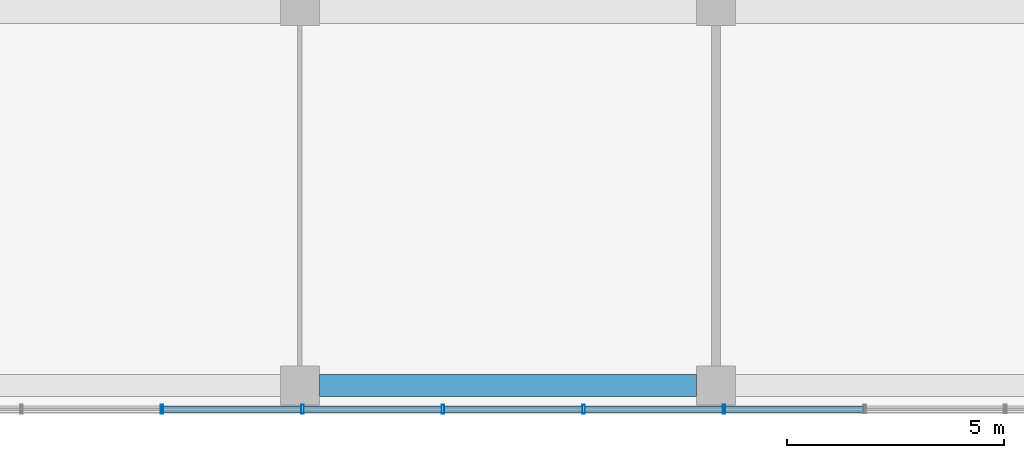
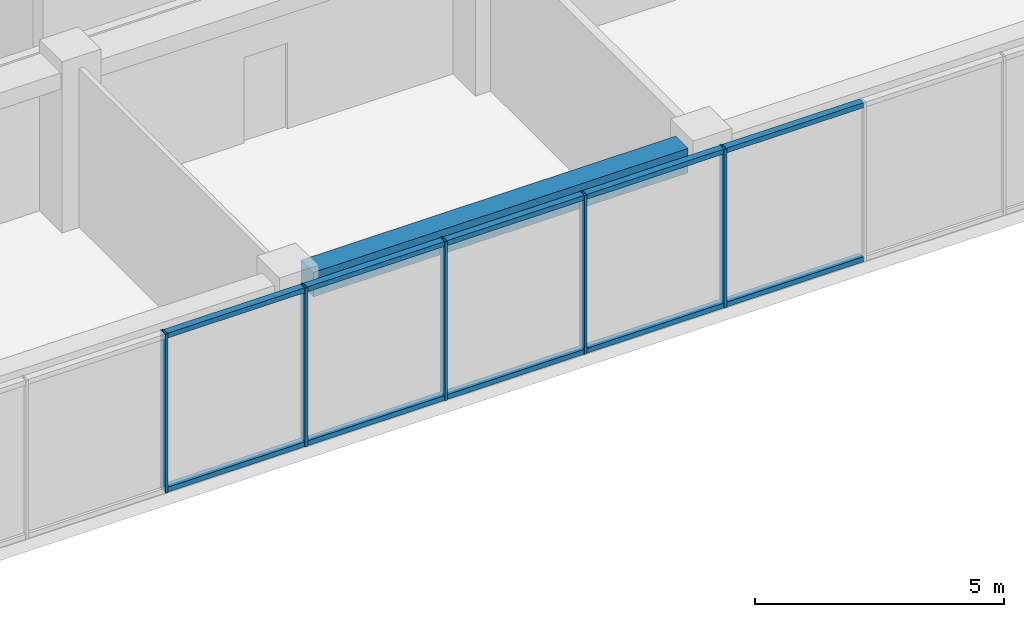
# One storey, part 4 of 38: 15 members, 1 beam, 1 element without a shape of its own.
"""IFC4 building model written with IfcOpenShell, lengths in metres."""

from ifc_helpers import new_model, si_unit, direction, frame, origin, origin_2d, place, context, subcontext, project, spatial, rectangle, hollow_rectangle, extrude, material, layer, layer_set, material_profile, profile_set, type_object, element, aggregate, save


model = new_model("IFC4")

# Units and contexts
model_context = context("Model", 3, precision=1e-05, world=origin(), true_north=direction((0.0, 1.0)))
body_context = subcontext(model_context, "Body", "Model", "MODEL_VIEW")
ifc_project = project(units=[si_unit("LENGTHUNIT", "METRE"), si_unit("AREAUNIT", "SQUARE_METRE"), si_unit("VOLUMEUNIT", "CUBIC_METRE"), si_unit("PLANEANGLEUNIT", "RADIAN"), si_unit("MASSUNIT", "GRAM", prefix="KILO")], contexts=[model_context])

# Site, building, storey
site_placement = place(None, origin())
site = spatial("IfcSite", under=ifc_project, at=site_placement, CompositionType="ELEMENT")
building_placement = place(site_placement, origin())
building = spatial("IfcBuilding", under=site, at=building_placement, Name="Nzadi Deep Aquarium and Research Tower", CompositionType="ELEMENT")
storey_placement = place(building_placement, frame((0.0, 0.0, 48.699951171875)))
storey = spatial("IfcBuildingStorey", under=building, at=storey_placement, Name="L09", CompositionType="ELEMENT", Elevation=48.699951171875)

# Curtain wall, members
ifc_material_1 = material(Name="Aluminium unitised frame", Category="aluminium")
ifc_layer = layer(ifc_material_1, 0.199951171875)
ifc_layer_set = layer_set([ifc_layer], Name="Aluminium unitised frame")
curtain_wall_type = type_object("IfcCurtainWallType", Name="Curtain wall Unitised 200", PredefinedType="NOTDEFINED", material=ifc_layer_set)
curtain_wall_placement = place(storey_placement, origin())
curtain_wall = element("IfcCurtainWall", 1, at=curtain_wall_placement, inside=storey, type_object=curtain_wall_type, Name="Unitised curtain wall blade A south L09", PredefinedType="NOTDEFINED")
ifc_material_2 = material(Name="Aluminium unitised frame", Category="aluminium")
ifc_material_profile_1 = material_profile(ifc_material_2, hollow_rectangle(XDim=0.199951171875, YDim=0.06005859375, WallThickness=0.0048828125, at=origin_2d()))
ifc_profile_set_1 = profile_set([ifc_material_profile_1], Name="Aluminium unitised frame")
member_type_1 = type_object("IfcMemberType", Name="Mullion 60x200 Unitised", PredefinedType="MULLION", material=ifc_profile_set_1)
member_1_placement = place(storey_placement, frame((16.0166015625, -0.10009765625, 0.0), z_axis=(0.0, 0.0, 1.0), x_axis=(0.0, 1.0, 0.0)))
member_1 = element("IfcMember", 2, at=member_1_placement, type_object=member_type_1, Name="CW029 mullion 6", PredefinedType="MULLION", context=body_context, shape_type="SweptSolid", body=[
    extrude(hollow_rectangle(XDim=0.199951171875, YDim=0.06005859375, WallThickness=0.0048828125, at=origin_2d()), origin(), (0.0, 0.0, 1.0), 3.900146484375),
])
member_2_placement = place(storey_placement, frame((19.260009765625, -0.10009765625, 0.0), z_axis=(0.0, 0.0, 1.0), x_axis=(0.0, 1.0, 0.0)))
member_2 = element("IfcMember", 3, at=member_2_placement, type_object=member_type_1, Name="CW029 mullion 7", PredefinedType="MULLION", context=body_context, shape_type="SweptSolid", body=[
    extrude(hollow_rectangle(XDim=0.199951171875, YDim=0.06005859375, WallThickness=0.0048828125, at=origin_2d()), origin(), (0.0, 0.0, 1.0), 3.900146484375),
])
member_3_placement = place(storey_placement, frame((22.50341796875, -0.10009765625, 0.0), z_axis=(0.0, 0.0, 1.0), x_axis=(0.0, 1.0, 0.0)))
member_3 = element("IfcMember", 4, at=member_3_placement, type_object=member_type_1, Name="CW029 mullion 8", PredefinedType="MULLION", context=body_context, shape_type="SweptSolid", body=[
    extrude(hollow_rectangle(XDim=0.199951171875, YDim=0.06005859375, WallThickness=0.0048828125, at=origin_2d()), origin(), (0.0, 0.0, 1.0), 3.900146484375),
])
member_4_placement = place(storey_placement, frame((25.74658203125, -0.10009765625, 0.0), z_axis=(0.0, 0.0, 1.0), x_axis=(0.0, 1.0, 0.0)))
member_4 = element("IfcMember", 5, at=member_4_placement, type_object=member_type_1, Name="CW029 mullion 9", PredefinedType="MULLION", context=body_context, shape_type="SweptSolid", body=[
    extrude(hollow_rectangle(XDim=0.199951171875, YDim=0.06005859375, WallThickness=0.0048828125, at=origin_2d()), origin(), (0.0, 0.0, 1.0), 3.900146484375),
])
member_5_placement = place(storey_placement, frame((28.989990234375, -0.10009765625, 0.0), z_axis=(0.0, 0.0, 1.0), x_axis=(0.0, 1.0, 0.0)))
member_5 = element("IfcMember", 6, at=member_5_placement, type_object=member_type_1, Name="CW029 mullion 10", PredefinedType="MULLION", context=body_context, shape_type="SweptSolid", body=[
    extrude(hollow_rectangle(XDim=0.199951171875, YDim=0.06005859375, WallThickness=0.0048828125, at=origin_2d()), origin(), (0.0, 0.0, 1.0), 3.900146484375),
])

# Beam
ifc_material_3 = material(Name="Concrete C35/45", Category="concrete")
ifc_material_profile_2 = material_profile(ifc_material_3, rectangle(XDim=0.5, YDim=0.60009765625, at=origin_2d()))
ifc_profile_set_2 = profile_set([ifc_material_profile_2], Name="Concrete C35/45")
beam_type = type_object("IfcBeamType", Name="RC 500x600", PredefinedType="BEAM", material=ifc_profile_set_2)
beam_placement = place(storey_placement, frame((19.64990234375, 0.449951171875, 3.60009765625), z_axis=(1.0, 0.0, 0.0), x_axis=(0.0, 1.0, 0.0)))
element("IfcBeam", 7, at=beam_placement, inside=storey, type_object=beam_type, Name="B-Z1-L09-L1-3", PredefinedType="BEAM", context=body_context, shape_type="SweptSolid", body=[
    extrude(rectangle(XDim=0.5, YDim=0.60009765625, at=origin_2d()), origin(), (0.0, 0.0, 1.0), 8.7001953125),
])

# Member
ifc_material_4 = material(Name="Aluminium unitised frame", Category="aluminium")
ifc_material_profile_3 = material_profile(ifc_material_4, hollow_rectangle(XDim=0.159912109375, YDim=0.1201171875, WallThickness=0.0048828125, at=origin_2d()))
ifc_profile_set_3 = profile_set([ifc_material_profile_3], Name="Aluminium unitised frame")
member_type_2 = type_object("IfcMemberType", Name="Transom 120x160 Unitised", PredefinedType="MULLION", material=ifc_profile_set_3)
member_6_placement = place(storey_placement, frame((16.046630859375, -0.10009765625, 0.06005859375), z_axis=(1.0, 0.0, 0.0), x_axis=(0.0, 1.0, 0.0)))
member_6 = element("IfcMember", 8, at=member_6_placement, type_object=member_type_2, Name="CW029 transom 6.1", PredefinedType="MULLION", context=body_context, shape_type="SweptSolid", body=[
    extrude(hollow_rectangle(XDim=0.159912109375, YDim=0.1201171875, WallThickness=0.0048828125, at=origin_2d()), origin(), (0.0, 0.0, 1.0), 3.183349609375),
])

member_7_placement = place(storey_placement, frame((16.046630859375, -0.10009765625, 3.840087890625), z_axis=(1.0, 0.0, 0.0), x_axis=(0.0, 1.0, 0.0)))
member_7 = element("IfcMember", 9, at=member_7_placement, type_object=member_type_2, Name="CW029 transom 6.2", PredefinedType="MULLION", context=body_context, shape_type="SweptSolid", body=[
    extrude(hollow_rectangle(XDim=0.159912109375, YDim=0.1201171875, WallThickness=0.0048828125, at=origin_2d()), origin(), (0.0, 0.0, 1.0), 3.183349609375),
])

member_8_placement = place(storey_placement, frame((19.2900390625, -0.10009765625, 0.06005859375), z_axis=(1.0, 0.0, 0.0), x_axis=(0.0, 1.0, 0.0)))
member_8 = element("IfcMember", 10, at=member_8_placement, type_object=member_type_2, Name="CW029 transom 7.1", PredefinedType="MULLION", context=body_context, shape_type="SweptSolid", body=[
    extrude(hollow_rectangle(XDim=0.159912109375, YDim=0.1201171875, WallThickness=0.0048828125, at=origin_2d()), origin(), (0.0, 0.0, 1.0), 3.183349609375),
])

member_9_placement = place(storey_placement, frame((19.2900390625, -0.10009765625, 3.840087890625), z_axis=(1.0, 0.0, 0.0), x_axis=(0.0, 1.0, 0.0)))
member_9 = element("IfcMember", 11, at=member_9_placement, type_object=member_type_2, Name="CW029 transom 7.2", PredefinedType="MULLION", context=body_context, shape_type="SweptSolid", body=[
    extrude(hollow_rectangle(XDim=0.159912109375, YDim=0.1201171875, WallThickness=0.0048828125, at=origin_2d()), origin(), (0.0, 0.0, 1.0), 3.183349609375),
])

member_10_placement = place(storey_placement, frame((22.533447265625, -0.10009765625, 0.06005859375), z_axis=(1.0, 0.0, 0.0), x_axis=(0.0, 1.0, 0.0)))
member_10 = element("IfcMember", 12, at=member_10_placement, type_object=member_type_2, Name="CW029 transom 8.1", PredefinedType="MULLION", context=body_context, shape_type="SweptSolid", body=[
    extrude(hollow_rectangle(XDim=0.159912109375, YDim=0.1201171875, WallThickness=0.0048828125, at=origin_2d()), origin(), (0.0, 0.0, 1.0), 3.18310546875),
])

member_11_placement = place(storey_placement, frame((22.533447265625, -0.10009765625, 3.840087890625), z_axis=(1.0, 0.0, 0.0), x_axis=(0.0, 1.0, 0.0)))
member_11 = element("IfcMember", 13, at=member_11_placement, type_object=member_type_2, Name="CW029 transom 8.2", PredefinedType="MULLION", context=body_context, shape_type="SweptSolid", body=[
    extrude(hollow_rectangle(XDim=0.159912109375, YDim=0.1201171875, WallThickness=0.0048828125, at=origin_2d()), origin(), (0.0, 0.0, 1.0), 3.18310546875),
])

member_12_placement = place(storey_placement, frame((25.776611328125, -0.10009765625, 0.06005859375), z_axis=(1.0, 0.0, 0.0), x_axis=(0.0, 1.0, 0.0)))
member_12 = element("IfcMember", 14, at=member_12_placement, type_object=member_type_2, Name="CW029 transom 9.1", PredefinedType="MULLION", context=body_context, shape_type="SweptSolid", body=[
    extrude(hollow_rectangle(XDim=0.159912109375, YDim=0.1201171875, WallThickness=0.0048828125, at=origin_2d()), origin(), (0.0, 0.0, 1.0), 3.183349609375),
])

member_13_placement = place(storey_placement, frame((25.776611328125, -0.10009765625, 3.840087890625), z_axis=(1.0, 0.0, 0.0), x_axis=(0.0, 1.0, 0.0)))
member_13 = element("IfcMember", 15, at=member_13_placement, type_object=member_type_2, Name="CW029 transom 9.2", PredefinedType="MULLION", context=body_context, shape_type="SweptSolid", body=[
    extrude(hollow_rectangle(XDim=0.159912109375, YDim=0.1201171875, WallThickness=0.0048828125, at=origin_2d()), origin(), (0.0, 0.0, 1.0), 3.183349609375),
])

member_14_placement = place(storey_placement, frame((29.02001953125, -0.10009765625, 0.06005859375), z_axis=(1.0, 0.0, 0.0), x_axis=(0.0, 1.0, 0.0)))
member_14 = element("IfcMember", 16, at=member_14_placement, type_object=member_type_2, Name="CW029 transom 10.1", PredefinedType="MULLION", context=body_context, shape_type="SweptSolid", body=[
    extrude(hollow_rectangle(XDim=0.159912109375, YDim=0.1201171875, WallThickness=0.0048828125, at=origin_2d()), origin(), (0.0, 0.0, 1.0), 3.183349609375),
])

member_15_placement = place(storey_placement, frame((29.02001953125, -0.10009765625, 3.840087890625), z_axis=(1.0, 0.0, 0.0), x_axis=(0.0, 1.0, 0.0)))
member_15 = element("IfcMember", 17, at=member_15_placement, type_object=member_type_2, Name="CW029 transom 10.2", PredefinedType="MULLION", context=body_context, shape_type="SweptSolid", body=[
    extrude(hollow_rectangle(XDim=0.159912109375, YDim=0.1201171875, WallThickness=0.0048828125, at=origin_2d()), origin(), (0.0, 0.0, 1.0), 3.183349609375),
])

aggregate(curtain_wall, [member_1, member_2, member_3, member_4, member_5, member_6, member_7, member_8, member_9, member_10, member_11, member_12, member_13, member_14, member_15])

save(model, "model.ifc")
